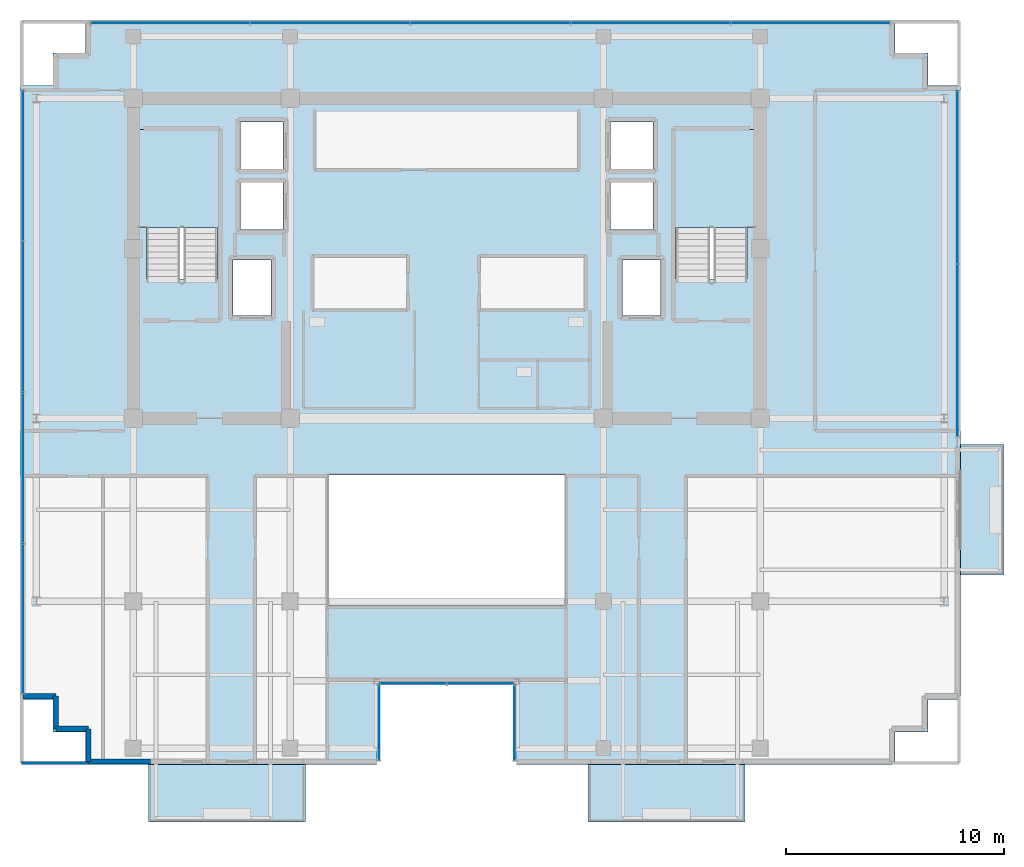
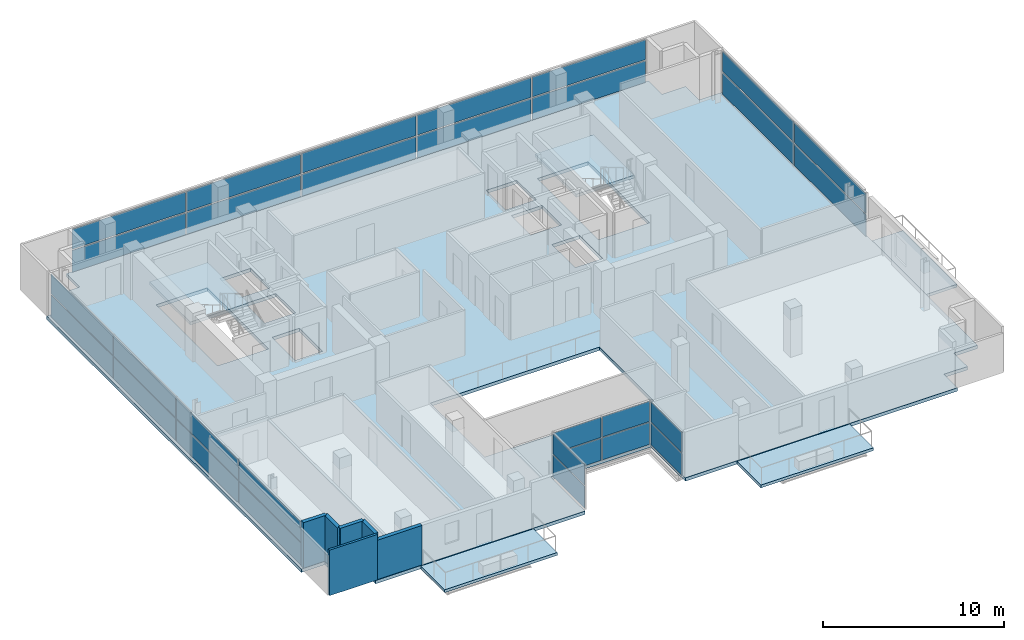
# One storey, part 14 of 22: 30 plates, 6 slabs, 6 walls, 8 elements without a shape of their own.
"""IFC4 building model written with IfcOpenShell, lengths in metres."""

from ifc_helpers import new_model, si_unit, direction, frame, frame_2d, origin, origin_2d, place, context, subcontext, project, spatial, polyline, rectangle, outline, extrude, source, transform, mapped, material, layer, layer_set, type_object, element, aggregate, save


model = new_model("IFC4")

# Units and contexts
model_context = context("Model", 3, precision=1e-05, world=origin(), true_north=direction((0.0, 1.0)))
body_context = subcontext(model_context, "Body", "Model", "MODEL_VIEW")
ifc_project = project(units=[si_unit("LENGTHUNIT", "METRE"), si_unit("AREAUNIT", "SQUARE_METRE"), si_unit("VOLUMEUNIT", "CUBIC_METRE"), si_unit("PLANEANGLEUNIT", "RADIAN"), si_unit("MASSUNIT", "GRAM", prefix="KILO")], contexts=[model_context])

# Site, building, storey
site_placement = place(None, origin())
site = spatial("IfcSite", under=ifc_project, at=site_placement, CompositionType="ELEMENT")
building_placement = place(site_placement, origin())
building = spatial("IfcBuilding", under=site, at=building_placement, Name="Zarnakvel Exchange Tower", CompositionType="ELEMENT")
storey_placement = place(building_placement, frame((0.0, 0.0, 238.60009765625)))
storey = spatial("IfcBuildingStorey", under=building, at=storey_placement, Name="L67", CompositionType="ELEMENT", Elevation=238.60009765625)

# Stair, slab
ifc_material_1 = material(Name="Concrete C40/50", Category="concrete")
stair_type = type_object("IfcStairType", Name="STR-01", PredefinedType="HALF_TURN_STAIR", material=ifc_material_1)
stair_1_placement = place(storey_placement, origin())
stair_1 = element("IfcStair", 1, at=stair_1_placement, inside=storey, type_object=stair_type, Name="L67 Protected Core Exit Stair ST-01", PredefinedType="HALF_TURN_STAIR")
ifc_layer_1 = layer(ifc_material_1, 0.199951171875)
ifc_layer_set_1 = layer_set([ifc_layer_1], Name="Concrete C40/50")
slab_type_1 = type_object("IfcSlabType", Name="LDG-01", PredefinedType="LANDING", material=ifc_layer_set_1)
slab_1_placement = place(storey_placement, frame((0.0, 0.0, 1.449951171875)))
slab_1 = element("IfcSlab", 2, at=slab_1_placement, type_object=slab_type_1, Name="ST-01 landing 1", PredefinedType="LANDING", context=body_context, shape_type="SweptSolid", body=[
    extrude(outline(polyline([(-14.18994140625, 7.570068359375), (-10.4599609375, 7.570068359375), (-10.4599609375, 12.080078125), (-14.18994140625, 12.080078125), (-14.18994140625, 7.570068359375)])), origin(), (0.0, 0.0, 1.0), 0.199951171875),
])
aggregate(stair_1, [slab_1])

stair_2_placement = place(storey_placement, origin())
stair_2 = element("IfcStair", 3, at=stair_2_placement, inside=storey, type_object=stair_type, Name="L67 Protected Core Exit Stair ST-02", PredefinedType="HALF_TURN_STAIR")
slab_2_placement = place(storey_placement, frame((0.0, 0.0, 1.449951171875)))
slab_2 = element("IfcSlab", 4, at=slab_2_placement, type_object=slab_type_1, Name="ST-02 landing 1", PredefinedType="LANDING", context=body_context, shape_type="SweptSolid", body=[
    extrude(outline(polyline([(10.4599609375, 7.570068359375), (14.18994140625, 7.570068359375), (14.18994140625, 12.080078125), (10.4599609375, 12.080078125), (10.4599609375, 7.570068359375)])), origin(), (0.0, 0.0, 1.0), 0.199951171875),
])
aggregate(stair_2, [slab_2])

# Slabs
ifc_layer_2 = layer(ifc_material_1, 0.22509765625)
ifc_layer_set_2 = layer_set([ifc_layer_2], Name="Concrete C40/50")
slab_type_2 = type_object("IfcSlabType", Name="SL-04", PredefinedType="FLOOR", material=ifc_layer_set_2)
slab_3_placement = place(storey_placement, frame((0.0, 0.0, -0.22509765625)))
element("IfcSlab", 5, at=slab_3_placement, inside=storey, type_object=slab_type_2, Name="L67 Primary Structural Floor Slab", PredefinedType="FLOOR", context=body_context, shape_type="SweptSolid", body=[
    extrude(outline(polyline([(-19.60009765625, -14.10009765625), (-18.10009765625, -14.10009765625), (-18.10009765625, -15.60009765625), (-16.60009765625, -15.60009765625), (-16.60009765625, -17.10009765625), (-3.199951171875, -17.10009765625), (-3.199951171875, -13.300048828125), (3.199951171875, -13.300048828125), (3.199951171875, -17.10009765625), (20.60009765625, -17.10009765625), (20.60009765625, -15.60009765625), (22.10009765625, -15.60009765625), (22.10009765625, -14.10009765625), (23.60009765625, -14.10009765625), (23.60009765625, 14.10009765625), (22.10009765625, 14.10009765625), (22.10009765625, 15.60009765625), (20.60009765625, 15.60009765625), (20.60009765625, 17.10009765625), (-16.60009765625, 17.10009765625), (-16.60009765625, 15.60009765625), (-18.10009765625, 15.60009765625), (-18.10009765625, 14.10009765625), (-19.60009765625, 14.10009765625), (-19.60009765625, -14.10009765625)]), holes=[polyline([(-5.39990234375, -9.800048828125), (5.39990234375, -9.800048828125), (5.39990234375, -3.800048828125), (-5.39990234375, -3.800048828125), (-5.39990234375, -9.800048828125)]), polyline([(-13.800048828125, 5.2099609375), (-10.5400390625, 5.2099609375), (-10.5400390625, 12.0), (-13.800048828125, 12.0), (-13.800048828125, 5.2099609375)]), polyline([(10.5400390625, 5.2099609375), (13.800048828125, 5.2099609375), (13.800048828125, 12.0), (10.5400390625, 12.0), (10.5400390625, 5.2099609375)]), polyline([(-9.830078125, 3.52001953125), (-8.070068359375, 3.52001953125), (-8.070068359375, 6.080078125), (-9.830078125, 6.080078125), (-9.830078125, 3.52001953125)]), polyline([(8.070068359375, 3.52001953125), (9.830078125, 3.52001953125), (9.830078125, 6.080078125), (8.070068359375, 6.080078125), (8.070068359375, 3.52001953125)]), polyline([(-9.47998046875, 7.469970703125), (-7.52001953125, 7.469970703125), (-7.52001953125, 9.6298828125), (-9.47998046875, 9.6298828125), (-9.47998046875, 7.469970703125)]), polyline([(-9.47998046875, 10.27001953125), (-7.52001953125, 10.27001953125), (-7.52001953125, 12.429931640625), (-9.47998046875, 12.429931640625), (-9.47998046875, 10.27001953125)]), polyline([(7.52001953125, 7.469970703125), (9.47998046875, 7.469970703125), (9.47998046875, 9.6298828125), (7.52001953125, 9.6298828125), (7.52001953125, 7.469970703125)]), polyline([(7.52001953125, 10.27001953125), (9.47998046875, 10.27001953125), (9.47998046875, 12.429931640625), (7.52001953125, 12.429931640625), (7.52001953125, 10.27001953125)])]), origin(), (0.0, 0.0, 1.0), 0.22509765625),
])
ifc_layer_3 = layer(ifc_material_1, 0.18994140625)
ifc_layer_set_3 = layer_set([ifc_layer_3], Name="Concrete C40/50")
slab_type_3 = type_object("IfcSlabType", Name="SL-08", PredefinedType="USERDEFINED", material=ifc_layer_set_3)
slab_4_placement = place(storey_placement, frame((0.0, 0.0, -0.22509765625)))
element("IfcSlab", 6, at=slab_4_placement, inside=storey, type_object=slab_type_3, Name="L67 Planted Loggia Balcony Slab BAL-L67-SW", ObjectType="BALCONY", PredefinedType="USERDEFINED", context=body_context, shape_type="SweptSolid", body=[
    extrude(outline(polyline([(-13.699951171875, -19.75), (-6.5, -19.75), (-6.5, -17.10009765625), (-13.699951171875, -17.10009765625), (-13.699951171875, -19.75)])), origin(), (0.0, 0.0, 1.0), 0.18994140625),
])
slab_5_placement = place(storey_placement, frame((0.0, 0.0, -0.22509765625)))
element("IfcSlab", 7, at=slab_5_placement, inside=storey, type_object=slab_type_3, Name="L67 Planted Loggia Balcony Slab BAL-L67-SE", ObjectType="BALCONY", PredefinedType="USERDEFINED", context=body_context, shape_type="SweptSolid", body=[
    extrude(outline(polyline([(6.5, -19.75), (13.699951171875, -19.75), (13.699951171875, -17.10009765625), (6.5, -17.10009765625), (6.5, -19.75)])), origin(), (0.0, 0.0, 1.0), 0.18994140625),
])
slab_6_placement = place(storey_placement, frame((0.0, 0.0, -0.22509765625)))
element("IfcSlab", 8, at=slab_6_placement, inside=storey, type_object=slab_type_3, Name="L67 Planted Loggia Balcony Slab BAL-L67-E", ObjectType="BALCONY", PredefinedType="USERDEFINED", context=body_context, shape_type="SweptSolid", body=[
    extrude(outline(polyline([(23.60009765625, -8.39990234375), (25.60009765625, -8.39990234375), (25.60009765625, -2.39990234375), (23.60009765625, -2.39990234375), (23.60009765625, -8.39990234375)])), origin(), (0.0, 0.0, 1.0), 0.18994140625),
])

# Curtain wall, plate
ifc_material_2 = material(Name="Architectural Bronze Anodised Aluminium", Category="aluminium")
ifc_layer_4 = layer(ifc_material_2, 0.179931640625)
ifc_layer_set_4 = layer_set([ifc_layer_4], Name="Architectural Bronze Anodised Aluminium")
curtain_wall_type_1 = type_object("IfcCurtainWallType", Name="CW-05", PredefinedType="NOTDEFINED", material=ifc_layer_set_4)
curtain_wall_1_placement = place(storey_placement, origin())
curtain_wall_1 = element("IfcCurtainWall", 9, at=curtain_wall_1_placement, inside=storey, type_object=curtain_wall_type_1, Name="L67 Curtain Wall CW-L67-SLW (CW-05)", PredefinedType="NOTDEFINED")
ifc_material_3 = material(Name="Double Low-E Laminated Vision Glass", Category="glass")
ifc_layer_5 = layer(ifc_material_3, 0.02587890625)
ifc_layer_set_5 = layer_set([ifc_layer_5], Name="Double Low-E Laminated Vision Glass")
plate_type_1 = type_object("IfcPlateType", Name="CWP-05", PredefinedType="CURTAIN_PANEL", material=ifc_layer_set_5)
shared_shape_1 = source(origin(), body_context, "Body", "SweptSolid", [
    extrude(rectangle(XDim=3.4599609375, YDim=0.02587890625, at=origin_2d()), origin(), (0.0, 0.0, 1.0), 1.483642578125),
])
plate_1_placement = place(storey_placement, frame((-3.1201171875, -15.179931640625, 0.06982421875), z_axis=(0.0, 0.0, 1.0), x_axis=(0.0, 1.0, 0.0)))
plate_1 = element("IfcPlate", 10, at=plate_1_placement, type_object=plate_type_1, Name="CW-05 panel 1.1", PredefinedType="CURTAIN_PANEL", context=body_context, shape_type="MappedRepresentation", body=[
    mapped(shared_shape_1, transform((0.0, 0.0, 0.0), x_axis=(1.0, 0.0, 0.0), y_axis=(0.0, 1.0, 0.0), z_axis=(0.0, 0.0, 1.0), scale=1.0)),
])

curtain_wall_2_placement = place(storey_placement, origin())
curtain_wall_2 = element("IfcCurtainWall", 11, at=curtain_wall_2_placement, inside=storey, type_object=curtain_wall_type_1, Name="L67 Curtain Wall CW-L67-SLE (CW-05)", PredefinedType="NOTDEFINED")
plate_2_placement = place(storey_placement, frame((3.1201171875, -15.179931640625, 0.06982421875), z_axis=(0.0, 0.0, 1.0), x_axis=(0.0, -1.0, 0.0)))
plate_2 = element("IfcPlate", 12, at=plate_2_placement, type_object=plate_type_1, Name="CW-05 panel 1.1", PredefinedType="CURTAIN_PANEL", context=body_context, shape_type="MappedRepresentation", body=[
    mapped(shared_shape_1, transform((0.0, 0.0, 0.0), x_axis=(1.0, 0.0, 0.0), y_axis=(0.0, 1.0, 0.0), z_axis=(0.0, 0.0, 1.0), scale=1.0)),
])

# Plate
shared_shape_2 = source(origin(), body_context, "Body", "SweptSolid", [
    extrude(rectangle(XDim=3.4599609375, YDim=0.02587890625, at=origin_2d()), origin(), (0.0, 0.0, 1.0), 1.361328125),
])
plate_3_placement = place(storey_placement, frame((-3.1201171875, -15.179931640625, 1.62353515625), z_axis=(0.0, 0.0, 1.0), x_axis=(0.0, 1.0, 0.0)))
plate_3 = element("IfcPlate", 13, at=plate_3_placement, type_object=plate_type_1, Name="CW-05 panel 1.2", PredefinedType="CURTAIN_PANEL", context=body_context, shape_type="MappedRepresentation", body=[
    mapped(shared_shape_2, transform((0.0, 0.0, 0.0), x_axis=(1.0, 0.0, 0.0), y_axis=(0.0, 1.0, 0.0), z_axis=(0.0, 0.0, 1.0), scale=1.0)),
])

aggregate(curtain_wall_1, [plate_1, plate_3])

plate_4_placement = place(storey_placement, frame((3.1201171875, -15.179931640625, 1.62353515625), z_axis=(0.0, 0.0, 1.0), x_axis=(0.0, -1.0, 0.0)))
plate_4 = element("IfcPlate", 14, at=plate_4_placement, type_object=plate_type_1, Name="CW-05 panel 1.2", PredefinedType="CURTAIN_PANEL", context=body_context, shape_type="MappedRepresentation", body=[
    mapped(shared_shape_2, transform((0.0, 0.0, 0.0), x_axis=(1.0, 0.0, 0.0), y_axis=(0.0, 1.0, 0.0), z_axis=(0.0, 0.0, 1.0), scale=1.0)),
])

aggregate(curtain_wall_2, [plate_2, plate_4])

# Curtain wall, plates
curtain_wall_3_placement = place(storey_placement, origin())
curtain_wall_3 = element("IfcCurtainWall", 15, at=curtain_wall_3_placement, inside=storey, type_object=curtain_wall_type_1, Name="L67 Curtain Wall CW-L67-SLB (CW-05)", PredefinedType="NOTDEFINED")
shared_shape_3 = source(origin(), body_context, "Body", "SweptSolid", [
    extrude(rectangle(XDim=3.014892578125, YDim=0.02587890625, at=origin_2d()), origin(), (0.0, 0.0, 1.0), 1.483642578125),
])
plate_5_placement = place(storey_placement, frame((-1.54248046875, -13.3798828125, 0.06982421875), z_axis=(0.0, 0.0, 1.0), x_axis=(1.0, 0.0, 0.0)))
plate_5 = element("IfcPlate", 16, at=plate_5_placement, type_object=plate_type_1, Name="CW-05 panel 1.1", PredefinedType="CURTAIN_PANEL", context=body_context, shape_type="MappedRepresentation", body=[
    mapped(shared_shape_3, transform((0.0, 0.0, 0.0), x_axis=(1.0, 0.0, 0.0), y_axis=(0.0, 1.0, 0.0), z_axis=(0.0, 0.0, 1.0), scale=1.0)),
])
plate_6_placement = place(storey_placement, frame((1.54248046875, -13.3798828125, 0.06982421875), z_axis=(0.0, 0.0, 1.0), x_axis=(1.0, 0.0, 0.0)))
plate_6 = element("IfcPlate", 17, at=plate_6_placement, type_object=plate_type_1, Name="CW-05 panel 2.1", PredefinedType="CURTAIN_PANEL", context=body_context, shape_type="MappedRepresentation", body=[
    mapped(shared_shape_3, transform((0.0, 0.0, 0.0), x_axis=(1.0, 0.0, 0.0), y_axis=(0.0, 1.0, 0.0), z_axis=(0.0, 0.0, 1.0), scale=1.0)),
])
shared_shape_4 = source(origin(), body_context, "Body", "SweptSolid", [
    extrude(rectangle(XDim=3.014892578125, YDim=0.02587890625, at=origin_2d()), origin(), (0.0, 0.0, 1.0), 1.361328125),
])
plate_7_placement = place(storey_placement, frame((-1.54248046875, -13.3798828125, 1.62353515625), z_axis=(0.0, 0.0, 1.0), x_axis=(1.0, 0.0, 0.0)))
plate_7 = element("IfcPlate", 18, at=plate_7_placement, type_object=plate_type_1, Name="CW-05 panel 1.2", PredefinedType="CURTAIN_PANEL", context=body_context, shape_type="MappedRepresentation", body=[
    mapped(shared_shape_4, transform((0.0, 0.0, 0.0), x_axis=(1.0, 0.0, 0.0), y_axis=(0.0, 1.0, 0.0), z_axis=(0.0, 0.0, 1.0), scale=1.0)),
])
plate_8_placement = place(storey_placement, frame((1.54248046875, -13.3798828125, 1.62353515625), z_axis=(0.0, 0.0, 1.0), x_axis=(1.0, 0.0, 0.0)))
plate_8 = element("IfcPlate", 19, at=plate_8_placement, type_object=plate_type_1, Name="CW-05 panel 2.2", PredefinedType="CURTAIN_PANEL", context=body_context, shape_type="MappedRepresentation", body=[
    mapped(shared_shape_4, transform((0.0, 0.0, 0.0), x_axis=(1.0, 0.0, 0.0), y_axis=(0.0, 1.0, 0.0), z_axis=(0.0, 0.0, 1.0), scale=1.0)),
])
aggregate(curtain_wall_3, [plate_5, plate_7, plate_6, plate_8])

ifc_layer_6 = layer(ifc_material_2, 0.199951171875)
ifc_layer_set_6 = layer_set([ifc_layer_6], Name="Architectural Bronze Anodised Aluminium")
curtain_wall_type_2 = type_object("IfcCurtainWallType", Name="CW-04", PredefinedType="NOTDEFINED", material=ifc_layer_set_6)
curtain_wall_4_placement = place(storey_placement, origin())
curtain_wall_4 = element("IfcCurtainWall", 20, at=curtain_wall_4_placement, inside=storey, type_object=curtain_wall_type_2, Name="L67 Curtain Wall CW-L67-W1 (CW-04)", PredefinedType="NOTDEFINED")
ifc_layer_7 = layer(ifc_material_3, 0.028076171875)
ifc_layer_set_7 = layer_set([ifc_layer_7], Name="Double Low-E Laminated Vision Glass")
plate_type_2 = type_object("IfcPlateType", Name="CWP-04", PredefinedType="CURTAIN_PANEL", material=ifc_layer_set_7)
shared_shape_5 = source(origin(), body_context, "Body", "SweptSolid", [
    extrude(rectangle(XDim=6.83740234375, YDim=0.028076171875, at=origin_2d()), origin(), (0.0, 0.0, 1.0), 1.47607421875),
])
plate_9_placement = place(storey_placement, frame((-19.4599609375, -10.40625, 0.074951171875), z_axis=(0.0, 0.0, 1.0), x_axis=(0.0, 1.0, 0.0)))
plate_9 = element("IfcPlate", 21, at=plate_9_placement, type_object=plate_type_2, Name="CW-04 panel 1.1", PredefinedType="CURTAIN_PANEL", context=body_context, shape_type="MappedRepresentation", body=[
    mapped(shared_shape_5, transform((0.0, 0.0, 0.0), x_axis=(1.0, 0.0, 0.0), y_axis=(0.0, 1.0, 0.0), z_axis=(0.0, 0.0, 1.0), scale=1.0)),
])
plate_10_placement = place(storey_placement, frame((-19.4599609375, 10.40625, 0.074951171875), z_axis=(0.0, 0.0, 1.0), x_axis=(0.0, 1.0, 0.0)))
plate_10 = element("IfcPlate", 22, at=plate_10_placement, type_object=plate_type_2, Name="CW-04 panel 4.1", PredefinedType="CURTAIN_PANEL", context=body_context, shape_type="MappedRepresentation", body=[
    mapped(shared_shape_5, transform((0.0, 0.0, 0.0), x_axis=(1.0, 0.0, 0.0), y_axis=(0.0, 1.0, 0.0), z_axis=(0.0, 0.0, 1.0), scale=1.0)),
])
shared_shape_6 = source(origin(), body_context, "Body", "SweptSolid", [
    extrude(rectangle(XDim=6.83740234375, YDim=0.028076171875, at=origin_2d()), origin(), (0.0, 0.0, 1.0), 1.35400390625),
])
plate_11_placement = place(storey_placement, frame((-19.4599609375, -10.40625, 1.6259765625), z_axis=(0.0, 0.0, 1.0), x_axis=(0.0, 1.0, 0.0)))
plate_11 = element("IfcPlate", 23, at=plate_11_placement, type_object=plate_type_2, Name="CW-04 panel 1.2", PredefinedType="CURTAIN_PANEL", context=body_context, shape_type="MappedRepresentation", body=[
    mapped(shared_shape_6, transform((0.0, 0.0, 0.0), x_axis=(1.0, 0.0, 0.0), y_axis=(0.0, 1.0, 0.0), z_axis=(0.0, 0.0, 1.0), scale=1.0)),
])
plate_12_placement = place(storey_placement, frame((-19.4599609375, 10.40625, 1.6259765625), z_axis=(0.0, 0.0, 1.0), x_axis=(0.0, 1.0, 0.0)))
plate_12 = element("IfcPlate", 24, at=plate_12_placement, type_object=plate_type_2, Name="CW-04 panel 4.2", PredefinedType="CURTAIN_PANEL", context=body_context, shape_type="MappedRepresentation", body=[
    mapped(shared_shape_6, transform((0.0, 0.0, 0.0), x_axis=(1.0, 0.0, 0.0), y_axis=(0.0, 1.0, 0.0), z_axis=(0.0, 0.0, 1.0), scale=1.0)),
])
shared_shape_7 = source(origin(), body_context, "Body", "SweptSolid", [
    extrude(rectangle(XDim=6.875, YDim=0.028076171875, at=origin_2d()), origin(), (0.0, 0.0, 1.0), 1.47607421875),
])
plate_13_placement = place(storey_placement, frame((-19.4599609375, -3.47509765625, 0.074951171875), z_axis=(0.0, 0.0, 1.0), x_axis=(0.0, 1.0, 0.0)))
plate_13 = element("IfcPlate", 25, at=plate_13_placement, type_object=plate_type_2, Name="CW-04 panel 2.1", PredefinedType="CURTAIN_PANEL", context=body_context, shape_type="MappedRepresentation", body=[
    mapped(shared_shape_7, transform((0.0, 0.0, 0.0), x_axis=(1.0, 0.0, 0.0), y_axis=(0.0, 1.0, 0.0), z_axis=(0.0, 0.0, 1.0), scale=1.0)),
])
plate_14_placement = place(storey_placement, frame((-19.4599609375, 3.47509765625, 0.074951171875), z_axis=(0.0, 0.0, 1.0), x_axis=(0.0, 1.0, 0.0)))
plate_14 = element("IfcPlate", 26, at=plate_14_placement, type_object=plate_type_2, Name="CW-04 panel 3.1", PredefinedType="CURTAIN_PANEL", context=body_context, shape_type="MappedRepresentation", body=[
    mapped(shared_shape_7, transform((0.0, 0.0, 0.0), x_axis=(1.0, 0.0, 0.0), y_axis=(0.0, 1.0, 0.0), z_axis=(0.0, 0.0, 1.0), scale=1.0)),
])
shared_shape_8 = source(origin(), body_context, "Body", "SweptSolid", [
    extrude(rectangle(XDim=6.875, YDim=0.028076171875, at=origin_2d()), origin(), (0.0, 0.0, 1.0), 1.35400390625),
])
plate_15_placement = place(storey_placement, frame((-19.4599609375, -3.47509765625, 1.6259765625), z_axis=(0.0, 0.0, 1.0), x_axis=(0.0, 1.0, 0.0)))
plate_15 = element("IfcPlate", 27, at=plate_15_placement, type_object=plate_type_2, Name="CW-04 panel 2.2", PredefinedType="CURTAIN_PANEL", context=body_context, shape_type="MappedRepresentation", body=[
    mapped(shared_shape_8, transform((0.0, 0.0, 0.0), x_axis=(1.0, 0.0, 0.0), y_axis=(0.0, 1.0, 0.0), z_axis=(0.0, 0.0, 1.0), scale=1.0)),
])
plate_16_placement = place(storey_placement, frame((-19.4599609375, 3.47509765625, 1.6259765625), z_axis=(0.0, 0.0, 1.0), x_axis=(0.0, 1.0, 0.0)))
plate_16 = element("IfcPlate", 28, at=plate_16_placement, type_object=plate_type_2, Name="CW-04 panel 3.2", PredefinedType="CURTAIN_PANEL", context=body_context, shape_type="MappedRepresentation", body=[
    mapped(shared_shape_8, transform((0.0, 0.0, 0.0), x_axis=(1.0, 0.0, 0.0), y_axis=(0.0, 1.0, 0.0), z_axis=(0.0, 0.0, 1.0), scale=1.0)),
])
aggregate(curtain_wall_4, [plate_9, plate_11, plate_13, plate_15, plate_14, plate_16, plate_10, plate_12])

curtain_wall_5_placement = place(storey_placement, origin())
curtain_wall_5 = element("IfcCurtainWall", 29, at=curtain_wall_5_placement, inside=storey, type_object=curtain_wall_type_2, Name="L67 Curtain Wall CW-L67-EN (CW-04)", PredefinedType="NOTDEFINED")
shared_shape_9 = source(origin(), body_context, "Body", "SweptSolid", [
    extrude(rectangle(XDim=7.887451171875, YDim=0.028076171875, at=origin_2d()), origin(), (0.0, 0.0, 1.0), 1.47607421875),
])
plate_17_placement = place(storey_placement, frame((23.4599609375, 1.918701171875, 0.074951171875), z_axis=(0.0, 0.0, 1.0), x_axis=(0.0, 1.0, 0.0)))
plate_17 = element("IfcPlate", 30, at=plate_17_placement, type_object=plate_type_2, Name="CW-04 panel 1.1", PredefinedType="CURTAIN_PANEL", context=body_context, shape_type="MappedRepresentation", body=[
    mapped(shared_shape_9, transform((0.0, 0.0, 0.0), x_axis=(1.0, 0.0, 0.0), y_axis=(0.0, 1.0, 0.0), z_axis=(0.0, 0.0, 1.0), scale=1.0)),
])
plate_18_placement = place(storey_placement, frame((23.4599609375, 9.88134765625, 0.074951171875), z_axis=(0.0, 0.0, 1.0), x_axis=(0.0, 1.0, 0.0)))
plate_18 = element("IfcPlate", 31, at=plate_18_placement, type_object=plate_type_2, Name="CW-04 panel 2.1", PredefinedType="CURTAIN_PANEL", context=body_context, shape_type="MappedRepresentation", body=[
    mapped(shared_shape_9, transform((0.0, 0.0, 0.0), x_axis=(1.0, 0.0, 0.0), y_axis=(0.0, 1.0, 0.0), z_axis=(0.0, 0.0, 1.0), scale=1.0)),
])
shared_shape_10 = source(origin(), body_context, "Body", "SweptSolid", [
    extrude(rectangle(XDim=7.887451171875, YDim=0.028076171875, at=origin_2d()), origin(), (0.0, 0.0, 1.0), 1.35400390625),
])
plate_19_placement = place(storey_placement, frame((23.4599609375, 1.918701171875, 1.6259765625), z_axis=(0.0, 0.0, 1.0), x_axis=(0.0, 1.0, 0.0)))
plate_19 = element("IfcPlate", 32, at=plate_19_placement, type_object=plate_type_2, Name="CW-04 panel 1.2", PredefinedType="CURTAIN_PANEL", context=body_context, shape_type="MappedRepresentation", body=[
    mapped(shared_shape_10, transform((0.0, 0.0, 0.0), x_axis=(1.0, 0.0, 0.0), y_axis=(0.0, 1.0, 0.0), z_axis=(0.0, 0.0, 1.0), scale=1.0)),
])
plate_20_placement = place(storey_placement, frame((23.4599609375, 9.88134765625, 1.6259765625), z_axis=(0.0, 0.0, 1.0), x_axis=(0.0, 1.0, 0.0)))
plate_20 = element("IfcPlate", 33, at=plate_20_placement, type_object=plate_type_2, Name="CW-04 panel 2.2", PredefinedType="CURTAIN_PANEL", context=body_context, shape_type="MappedRepresentation", body=[
    mapped(shared_shape_10, transform((0.0, 0.0, 0.0), x_axis=(1.0, 0.0, 0.0), y_axis=(0.0, 1.0, 0.0), z_axis=(0.0, 0.0, 1.0), scale=1.0)),
])
aggregate(curtain_wall_5, [plate_17, plate_19, plate_18, plate_20])

ifc_layer_8 = layer(ifc_material_2, 0.219970703125)
ifc_layer_set_8 = layer_set([ifc_layer_8], Name="Architectural Bronze Anodised Aluminium")
curtain_wall_type_3 = type_object("IfcCurtainWallType", Name="CW-03", PredefinedType="NOTDEFINED", material=ifc_layer_set_8)
curtain_wall_6_placement = place(storey_placement, origin())
curtain_wall_6 = element("IfcCurtainWall", 34, at=curtain_wall_6_placement, inside=storey, type_object=curtain_wall_type_3, Name="L67 Curtain Wall CW-L67-N1 (CW-03)", PredefinedType="NOTDEFINED")
ifc_layer_9 = layer(ifc_material_3, 0.030029296875)
ifc_layer_set_9 = layer_set([ifc_layer_9], Name="Double Low-E Laminated Vision Glass")
plate_type_3 = type_object("IfcPlateType", Name="CWP-03", PredefinedType="CURTAIN_PANEL", material=ifc_layer_set_9)
shared_shape_11 = source(origin(), body_context, "Body", "SweptSolid", [
    extrude(rectangle(XDim=7.239990234375, YDim=0.030029296875, at=origin_2d()), origin(), (0.0, 0.0, 1.0), 1.468505859375),
])
plate_21_placement = place(storey_placement, frame((-12.699951171875, 16.9599609375, 0.080078125), z_axis=(0.0, 0.0, 1.0), x_axis=(1.0, 0.0, 0.0)))
plate_21 = element("IfcPlate", 35, at=plate_21_placement, type_object=plate_type_3, Name="CW-03 panel 1.1", PredefinedType="CURTAIN_PANEL", context=body_context, shape_type="MappedRepresentation", body=[
    mapped(shared_shape_11, transform((0.0, 0.0, 0.0), x_axis=(1.0, 0.0, 0.0), y_axis=(0.0, 1.0, 0.0), z_axis=(0.0, 0.0, 1.0), scale=1.0)),
])
plate_22_placement = place(storey_placement, frame((16.699951171875, 16.9599609375, 0.080078125), z_axis=(0.0, 0.0, 1.0), x_axis=(1.0, 0.0, 0.0)))
plate_22 = element("IfcPlate", 36, at=plate_22_placement, type_object=plate_type_3, Name="CW-03 panel 5.1", PredefinedType="CURTAIN_PANEL", context=body_context, shape_type="MappedRepresentation", body=[
    mapped(shared_shape_11, transform((0.0, 0.0, 0.0), x_axis=(1.0, 0.0, 0.0), y_axis=(0.0, 1.0, 0.0), z_axis=(0.0, 0.0, 1.0), scale=1.0)),
])
shared_shape_12 = source(origin(), body_context, "Body", "SweptSolid", [
    extrude(rectangle(XDim=7.239990234375, YDim=0.030029296875, at=origin_2d()), origin(), (0.0, 0.0, 1.0), 1.346435546875),
])
plate_23_placement = place(storey_placement, frame((-12.699951171875, 16.9599609375, 1.62841796875), z_axis=(0.0, 0.0, 1.0), x_axis=(1.0, 0.0, 0.0)))
plate_23 = element("IfcPlate", 37, at=plate_23_placement, type_object=plate_type_3, Name="CW-03 panel 1.2", PredefinedType="CURTAIN_PANEL", context=body_context, shape_type="MappedRepresentation", body=[
    mapped(shared_shape_12, transform((0.0, 0.0, 0.0), x_axis=(1.0, 0.0, 0.0), y_axis=(0.0, 1.0, 0.0), z_axis=(0.0, 0.0, 1.0), scale=1.0)),
])
plate_24_placement = place(storey_placement, frame((16.699951171875, 16.9599609375, 1.62841796875), z_axis=(0.0, 0.0, 1.0), x_axis=(1.0, 0.0, 0.0)))
plate_24 = element("IfcPlate", 38, at=plate_24_placement, type_object=plate_type_3, Name="CW-03 panel 5.2", PredefinedType="CURTAIN_PANEL", context=body_context, shape_type="MappedRepresentation", body=[
    mapped(shared_shape_12, transform((0.0, 0.0, 0.0), x_axis=(1.0, 0.0, 0.0), y_axis=(0.0, 1.0, 0.0), z_axis=(0.0, 0.0, 1.0), scale=1.0)),
])
shared_shape_13 = source(origin(), body_context, "Body", "SweptSolid", [
    extrude(rectangle(XDim=7.280029296875, YDim=0.030029296875, at=origin_2d()), origin(), (0.0, 0.0, 1.0), 1.468505859375),
])
plate_25_placement = place(storey_placement, frame((-5.360107421875, 16.9599609375, 0.080078125), z_axis=(0.0, 0.0, 1.0), x_axis=(1.0, 0.0, 0.0)))
plate_25 = element("IfcPlate", 39, at=plate_25_placement, type_object=plate_type_3, Name="CW-03 panel 2.1", PredefinedType="CURTAIN_PANEL", context=body_context, shape_type="MappedRepresentation", body=[
    mapped(shared_shape_13, transform((0.0, 0.0, 0.0), x_axis=(1.0, 0.0, 0.0), y_axis=(0.0, 1.0, 0.0), z_axis=(0.0, 0.0, 1.0), scale=1.0)),
])
plate_26_placement = place(storey_placement, frame((2.0, 16.9599609375, 0.080078125), z_axis=(0.0, 0.0, 1.0), x_axis=(1.0, 0.0, 0.0)))
plate_26 = element("IfcPlate", 40, at=plate_26_placement, type_object=plate_type_3, Name="CW-03 panel 3.1", PredefinedType="CURTAIN_PANEL", context=body_context, shape_type="MappedRepresentation", body=[
    mapped(shared_shape_13, transform((0.0, 0.0, 0.0), x_axis=(1.0, 0.0, 0.0), y_axis=(0.0, 1.0, 0.0), z_axis=(0.0, 0.0, 1.0), scale=1.0)),
])
plate_27_placement = place(storey_placement, frame((9.360107421875, 16.9599609375, 0.080078125), z_axis=(0.0, 0.0, 1.0), x_axis=(1.0, 0.0, 0.0)))
plate_27 = element("IfcPlate", 41, at=plate_27_placement, type_object=plate_type_3, Name="CW-03 panel 4.1", PredefinedType="CURTAIN_PANEL", context=body_context, shape_type="MappedRepresentation", body=[
    mapped(shared_shape_13, transform((0.0, 0.0, 0.0), x_axis=(1.0, 0.0, 0.0), y_axis=(0.0, 1.0, 0.0), z_axis=(0.0, 0.0, 1.0), scale=1.0)),
])
shared_shape_14 = source(origin(), body_context, "Body", "SweptSolid", [
    extrude(rectangle(XDim=7.280029296875, YDim=0.030029296875, at=origin_2d()), origin(), (0.0, 0.0, 1.0), 1.346435546875),
])
plate_28_placement = place(storey_placement, frame((-5.360107421875, 16.9599609375, 1.62841796875), z_axis=(0.0, 0.0, 1.0), x_axis=(1.0, 0.0, 0.0)))
plate_28 = element("IfcPlate", 42, at=plate_28_placement, type_object=plate_type_3, Name="CW-03 panel 2.2", PredefinedType="CURTAIN_PANEL", context=body_context, shape_type="MappedRepresentation", body=[
    mapped(shared_shape_14, transform((0.0, 0.0, 0.0), x_axis=(1.0, 0.0, 0.0), y_axis=(0.0, 1.0, 0.0), z_axis=(0.0, 0.0, 1.0), scale=1.0)),
])
plate_29_placement = place(storey_placement, frame((2.0, 16.9599609375, 1.62841796875), z_axis=(0.0, 0.0, 1.0), x_axis=(1.0, 0.0, 0.0)))
plate_29 = element("IfcPlate", 43, at=plate_29_placement, type_object=plate_type_3, Name="CW-03 panel 3.2", PredefinedType="CURTAIN_PANEL", context=body_context, shape_type="MappedRepresentation", body=[
    mapped(shared_shape_14, transform((0.0, 0.0, 0.0), x_axis=(1.0, 0.0, 0.0), y_axis=(0.0, 1.0, 0.0), z_axis=(0.0, 0.0, 1.0), scale=1.0)),
])
plate_30_placement = place(storey_placement, frame((9.360107421875, 16.9599609375, 1.62841796875), z_axis=(0.0, 0.0, 1.0), x_axis=(1.0, 0.0, 0.0)))
plate_30 = element("IfcPlate", 44, at=plate_30_placement, type_object=plate_type_3, Name="CW-03 panel 4.2", PredefinedType="CURTAIN_PANEL", context=body_context, shape_type="MappedRepresentation", body=[
    mapped(shared_shape_14, transform((0.0, 0.0, 0.0), x_axis=(1.0, 0.0, 0.0), y_axis=(0.0, 1.0, 0.0), z_axis=(0.0, 0.0, 1.0), scale=1.0)),
])
aggregate(curtain_wall_6, [plate_21, plate_23, plate_25, plate_28, plate_26, plate_29, plate_27, plate_30, plate_22, plate_24])

# Walls
ifc_material_4 = material(Name="Precast concrete C40/50", Category="concrete")
ifc_layer_10 = layer(ifc_material_4, 0.239990234375)
ifc_layer_set_10 = layer_set([ifc_layer_10], Name="Precast concrete C40/50")
wall_type_1 = type_object("IfcWallType", Name="EW-02", PredefinedType="SOLIDWALL", material=ifc_layer_set_10)
wall_1_placement = place(storey_placement, frame((-16.4599609375, -16.9599609375, 0.0), z_axis=(0.0, 0.0, 1.0), x_axis=(1.0, 0.0, 0.0)))
element("IfcWall", 45, at=wall_1_placement, inside=storey, type_object=wall_type_1, Name="L67 Exterior Precast Spandrel Wall EWC-L67-22 (EW-02)", PredefinedType="SOLIDWALL", context=body_context, shape_type="SweptSolid", body=[
    extrude(rectangle(XDim=2.85986328125, YDim=0.239990234375, at=frame_2d((1.429931640625, 0.0))), origin(), (0.0, 0.0, 1.0), 2.664794921875),
])
for number, where, z_axis, x_axis, name in (
    (46, (-16.4599609375, -15.4599609375, 0.0), (0.0, 0.0, 1.0), (0.0, -1.0, 0.0), "L67 Exterior Precast Spandrel Wall EWC-L67-23 (EW-02)"),
    (47, (-17.9599609375, -15.4599609375, 0.0), (0.0, 0.0, 1.0), (1.0, 0.0, 0.0), "L67 Exterior Precast Spandrel Wall EWC-L67-24 (EW-02)"),
    (48, (-17.9599609375, -13.9599609375, 0.0), (0.0, 0.0, 1.0), (0.0, -1.0, 0.0), "L67 Exterior Precast Spandrel Wall EWC-L67-25 (EW-02)"),
    (49, (-19.4599609375, -13.9599609375, 0.0), (0.0, 0.0, 1.0), (1.0, 0.0, 0.0), "L67 Exterior Precast Spandrel Wall EWC-L67-26 (EW-02)"),
):
    element("IfcWall", number, at=place(storey_placement, frame(where, z_axis=z_axis, x_axis=x_axis)), inside=storey, type_object=wall_type_1, Name=name, PredefinedType="SOLIDWALL", context=body_context, shape_type="SweptSolid", body=[
        extrude(rectangle(XDim=1.5, YDim=0.239990234375, at=frame_2d((0.75, 0.0))), origin(), (0.0, 0.0, 1.0), 3.074951171875),
    ])
ifc_material_5 = material(Name="Fire-Rated Gypsum Stud Partition", Category="gypsum")
ifc_layer_11 = layer(ifc_material_5, 0.14990234375)
ifc_layer_set_11 = layer_set([ifc_layer_11], Name="Fire-Rated Gypsum Stud Partition")
wall_type_2 = type_object("IfcWallType", Name="PT-01", PredefinedType="PARTITIONING", material=ifc_layer_set_11)
wall_2_placement = place(storey_placement, frame((-16.4599609375, -17.030029296875, 0.0), z_axis=(0.0, 0.0, 1.0), x_axis=(-1.0, 0.0, 0.0)))
element("IfcWall", 50, at=wall_2_placement, inside=storey, type_object=wall_type_2, Name="L67 Partition Wall PWALL-L67-033 (PT-01)", PredefinedType="PARTITIONING", context=body_context, shape_type="SweptSolid", body=[
    extrude(rectangle(XDim=3.070068359375, YDim=0.14990234375, at=frame_2d((1.53515625, 0.0))), origin(), (0.0, 0.0, 1.0), 3.074951171875),
])

save(model, "model.ifc")
